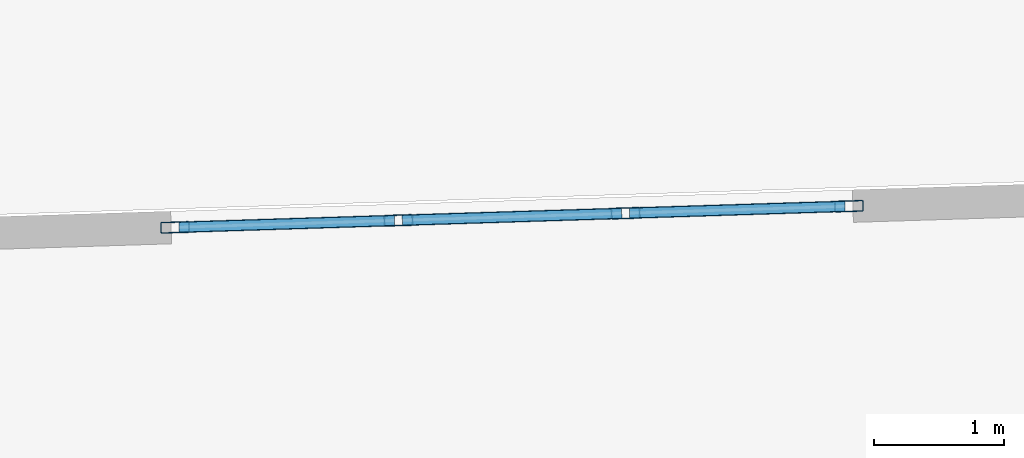
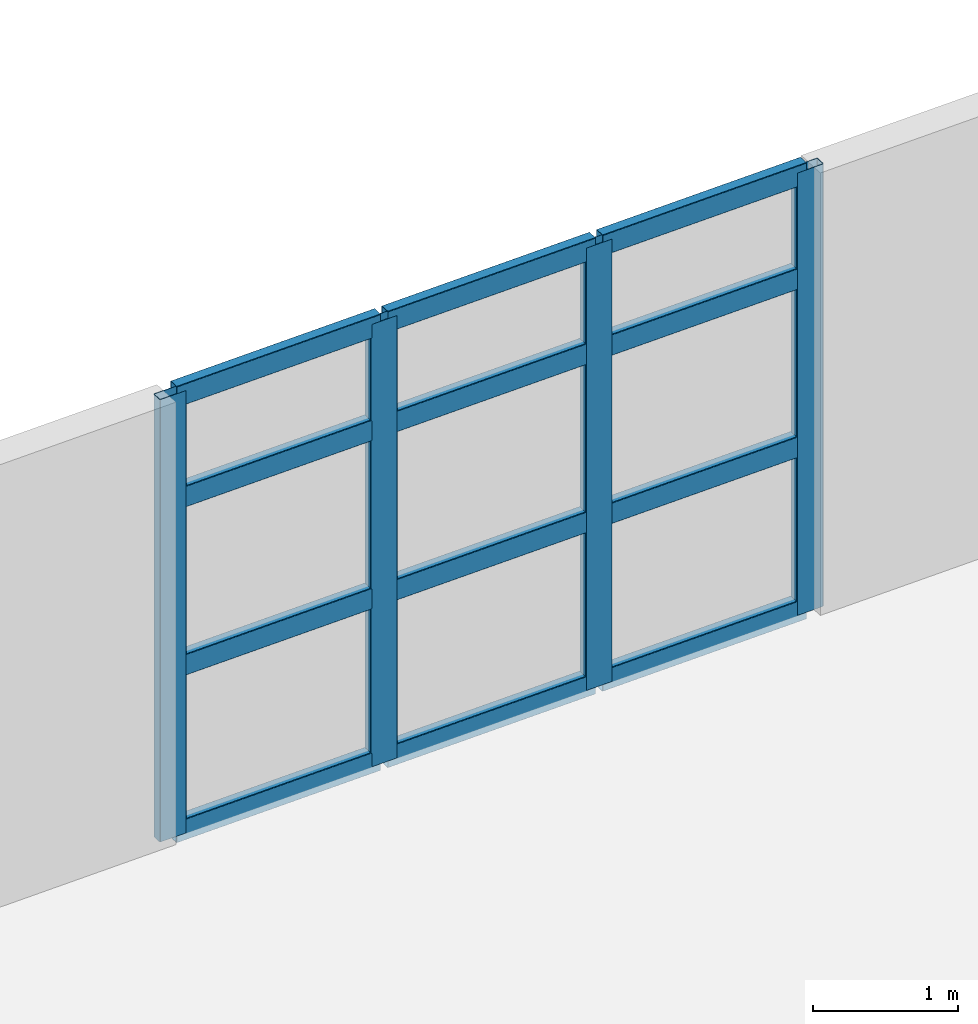
# One storey, part 8 of 18: 16 members, 1 element without a shape of its own.
"""IFC4 building model written with IfcOpenShell, lengths in metres."""

import ifcopenshell
import ifcopenshell.guid

model = None  # the IFC model being written
_history = None  # IfcOwnerHistory: only IFC2X3 demands one
_inside = {}  # id of a spatial element -> (the spatial element, [elements in it])
_under = {}  # id of a project, library or spatial element -> (it, [spatial elements below it])
_declared = {}  # id of a project -> (the project, [libraries it declares])
_typed = {}  # id of a type object -> (the type object, [elements of that type])
_made_of = {}  # id of a material, layer set ... -> (it, [elements and type objects made of it])


def new_model(schema):
    """Start an empty IFC model of exactly this schema.

    Asked for "IFC4X3", IfcOpenShell would pick the latest addendum, in which some entities
    have other attributes; the version numbers below select the first issue.
    IFC2X3 requires an IfcOwnerHistory on every rooted entity: one is made here for all.
    """
    global model, _history
    if schema == "IFC4X3":
        model = ifcopenshell.file(schema_version=(4, 3, 0, 0))
    else:
        model = ifcopenshell.file(schema=schema)
    _inside.clear()
    _under.clear()
    _declared.clear()
    _typed.clear()
    _made_of.clear()
    _history = None
    if model.schema == "IFC2X3":
        org = make("IfcOrganization", Name="unknown")
        user = make(
            "IfcPersonAndOrganization",
            ThePerson=make("IfcPerson", FamilyName="unknown"),
            TheOrganization=org,
        )
        app = make(
            "IfcApplication",
            ApplicationDeveloper=org,
            Version="unknown",
            ApplicationFullName="unknown",
            ApplicationIdentifier="unknown",
        )
        _history = make(
            "IfcOwnerHistory",
            OwningUser=user,
            OwningApplication=app,
            ChangeAction="ADDED",
            CreationDate=0,
        )
    return model


def make(cls, **values):
    """One entity of the class cls with the attributes given. An attribute that is None is left unset."""
    return model.create_entity(
        cls, **{name: value for name, value in values.items() if value is not None}
    )


def rooted(cls, **values):
    """An entity with a GlobalId (a new one), such as an element, a storey or a relation."""
    return make(cls, GlobalId=ifcopenshell.guid.new(), OwnerHistory=_history, **values)


def si_unit(unit_type, name, prefix=None):
    """IfcSIUnit, for example si_unit("LENGTHUNIT", "METRE", prefix="MILLI")."""
    return make("IfcSIUnit", UnitType=unit_type, Prefix=prefix, Name=name)


def assignment(units):
    """IfcUnitAssignment: the units of a project."""
    return None if units is None else make("IfcUnitAssignment", Units=units)


def point(xyz):
    """IfcCartesianPoint."""
    return None if xyz is None else make("IfcCartesianPoint", Coordinates=xyz)


def direction(xyz):
    """IfcDirection."""
    return None if xyz is None else make("IfcDirection", DirectionRatios=xyz)


def frame(location, z_axis=None, x_axis=None):
    """IfcAxis2Placement3D, a coordinate frame: its origin and axes. An axis left out is left unset."""
    return make(
        "IfcAxis2Placement3D",
        Location=point(location),
        Axis=direction(z_axis),
        RefDirection=direction(x_axis),
    )


def frame_2d(location, x_axis=None):
    """IfcAxis2Placement2D, a coordinate frame in the plane: its origin and x axis."""
    return make(
        "IfcAxis2Placement2D", Location=point(location), RefDirection=direction(x_axis)
    )


def origin():
    """The frame at (0, 0, 0) with its axes left unset."""
    return frame((0.0, 0.0, 0.0))


def origin_2d():
    """The frame at (0, 0) in the plane with its x axis left unset."""
    return frame_2d((0.0, 0.0))


def place(relative_to, where):
    """IfcLocalPlacement: puts the frame where relative to a parent placement (None: the world)."""
    return make(
        "IfcLocalPlacement", PlacementRelTo=relative_to, RelativePlacement=where
    )


def context(
    kind, dimensions, precision=None, world=None, true_north=None, identifier=None
):
    """IfcGeometricRepresentationContext, for example the 3D "Model" context."""
    return make(
        "IfcGeometricRepresentationContext",
        ContextIdentifier=identifier,
        ContextType=kind,
        CoordinateSpaceDimension=dimensions,
        Precision=precision,
        WorldCoordinateSystem=world,
        TrueNorth=true_north,
    )


def subcontext(parent, identifier, kind, view, scale=None):
    """IfcGeometricRepresentationSubContext, for example "Body" below "Model"."""
    return make(
        "IfcGeometricRepresentationSubContext",
        ContextIdentifier=identifier,
        ContextType=kind,
        ParentContext=parent,
        TargetScale=scale,
        TargetView=view,
    )


def project(units=None, contexts=None):
    """IfcProject with its units and contexts."""
    return rooted(
        "IfcProject",
        Name="project",
        RepresentationContexts=contexts,
        UnitsInContext=assignment(units),
    )


def spatial(cls, under=None, at=None, **own):
    """A site, building, storey or space (cls), placed at a placement, below another one or the project."""
    s = rooted(cls, ObjectPlacement=at, **own)
    if under is not None:
        _under.setdefault(under.id(), (under, []))[1].append(s)
    return s


def profile(cls, at=None, kind="AREA", **sizes):
    """A parametric profile (cls). Its sizes go by their IFC names, for example OverallWidth=200.0."""
    return make(cls, ProfileType=kind, Position=at, **sizes)


def hollow_rectangle(**sizes):
    """IfcRectangleHollowProfileDef."""
    return profile("IfcRectangleHollowProfileDef", **sizes)


def extrude(swept, where, along, depth):
    """IfcExtrudedAreaSolid: the profile swept, set in the frame where, extruded along a direction by depth."""
    return make(
        "IfcExtrudedAreaSolid",
        SweptArea=swept,
        Position=where,
        ExtrudedDirection=direction(along),
        Depth=depth,
    )


def shape(context_of_items, identifier, shape_type, items):
    """IfcShapeRepresentation: the items that make up one representation, for example the "Body"."""
    return make(
        "IfcShapeRepresentation",
        ContextOfItems=context_of_items,
        RepresentationIdentifier=identifier,
        RepresentationType=shape_type,
        Items=items,
    )


def material(Name=None, Category=None):
    """IfcMaterial."""
    return make("IfcMaterial", Name=Name, Category=Category)


def layer(
    of_material, thickness, ventilated=None, Name=None, Category=None, Priority=None
):
    """IfcMaterialLayer: one layer of a wall or slab, of a material (None: an air gap)."""
    return make(
        "IfcMaterialLayer",
        Material=of_material,
        LayerThickness=thickness,
        IsVentilated=ventilated,
        Name=Name,
        Category=Category,
        Priority=Priority,
    )


def layer_set(layers, Name=None):
    """IfcMaterialLayerSet."""
    return make("IfcMaterialLayerSet", MaterialLayers=layers, LayerSetName=Name)


def material_profile(
    of_material, cross_section, Name=None, Category=None, Priority=None
):
    """IfcMaterialProfile: a cross section and its material."""
    return make(
        "IfcMaterialProfile",
        Name=Name,
        Material=of_material,
        Profile=cross_section,
        Priority=Priority,
        Category=Category,
    )


def profile_set(profiles, Name=None, composite=None):
    """IfcMaterialProfileSet."""
    return make(
        "IfcMaterialProfileSet",
        Name=Name,
        MaterialProfiles=profiles,
        CompositeProfile=composite,
    )


def made_of(thing, what):
    """Note that an element or type object is made of a material, layer set ...; save() writes the relation."""
    if what is not None:
        _made_of.setdefault(what.id(), (what, []))[1].append(thing)
    return thing


def type_object(cls, material=None, **own):
    """A type object (cls), such as IfcWallType, which elements share."""
    return made_of(rooted(cls, **own), material)


def element(
    cls,
    number,
    at=None,
    inside=None,
    cuts=None,
    type_object=None,
    material=None,
    context=None,
    identifier="Body",
    shape_type=None,
    held_by="IfcProductDefinitionShape",
    body=None,
    shapes=None,
    **own,
):
    """One element of the class cls, such as IfcWall. Its Tag is "e" and its number.

    at: its placement. inside: the storey or other place that contains it. cuts: it is an
    opening in that element (IfcRelVoidsElement). A single representation is given by context,
    identifier, shape_type and body (its items); several are given by shapes. held_by: the class
    of the entity that holds the representations. save() writes the other relations.
    """
    e = rooted(cls, Tag="e%d" % number, ObjectPlacement=at, **own)
    if body is not None:
        shapes = [shape(context, identifier, shape_type, body)]
    if shapes is not None:
        e.Representation = make(held_by, Representations=shapes)
    if inside is not None:
        _inside.setdefault(inside.id(), (inside, []))[1].append(e)
    if cuts is not None:
        rooted(
            "IfcRelVoidsElement", RelatingBuildingElement=cuts, RelatedOpeningElement=e
        )
    if type_object is not None:
        _typed.setdefault(type_object.id(), (type_object, []))[1].append(e)
    return made_of(e, material)


def aggregate(whole, parts):
    """IfcRelAggregates: a whole, such as a stair, and the parts it consists of."""
    return rooted("IfcRelAggregates", RelatingObject=whole, RelatedObjects=parts)


def save(model, path):
    """Write the relations noted so far, then the file.

    IfcRelAggregates (storeys below a building ...), IfcRelContainedInSpatialStructure (elements
    in a storey), IfcRelDefinesByType, IfcRelAssociatesMaterial and IfcRelDeclares: one each for
    every whole, place, type object, material and project.
    """
    for whole, parts in _under.values():
        aggregate(whole, parts)
    for where, things in _inside.values():
        rooted(
            "IfcRelContainedInSpatialStructure",
            RelatedElements=things,
            RelatingStructure=where,
        )
    for kind, things in _typed.values():
        rooted("IfcRelDefinesByType", RelatedObjects=things, RelatingType=kind)
    for what, things in _made_of.values():
        rooted("IfcRelAssociatesMaterial", RelatedObjects=things, RelatingMaterial=what)
    for by, libraries in _declared.values():
        rooted("IfcRelDeclares", RelatingContext=by, RelatedDefinitions=libraries)
    model.write(path)


model = new_model("IFC4")

# Units and contexts
model_context = context("Model", 3, precision=1e-05, world=origin(), true_north=direction((0.0, 1.0)))
body_context = subcontext(model_context, "Body", "Model", "MODEL_VIEW")
ifc_project = project(units=[si_unit("LENGTHUNIT", "METRE"), si_unit("AREAUNIT", "SQUARE_METRE"), si_unit("VOLUMEUNIT", "CUBIC_METRE"), si_unit("PLANEANGLEUNIT", "RADIAN"), si_unit("MASSUNIT", "GRAM", prefix="KILO")], contexts=[model_context])

# Site, building, storey
site_placement = place(None, origin())
site = spatial("IfcSite", under=ifc_project, at=site_placement, CompositionType="ELEMENT")
building_placement = place(site_placement, origin())
building = spatial("IfcBuilding", under=site, at=building_placement, Name="Qingluan Cross Belvedere", CompositionType="ELEMENT")
storey_placement = place(building_placement, frame((0.0, 0.0, 299.39990234375)))
storey = spatial("IfcBuildingStorey", under=building, at=storey_placement, Name="L74", CompositionType="ELEMENT", Elevation=299.39990234375)

# Curtain wall, members
ifc_material_1 = material(Name="Thermally broken aluminium and Low-E glass", Category="aluminium")
ifc_layer = layer(ifc_material_1, 0.179931640625, Name="ObservationCW_DamperGallery")
ifc_layer_set = layer_set([ifc_layer], Name="Thermally broken aluminium and Low-E glass")
curtain_wall_type = type_object("IfcCurtainWallType", Name="ObservationCW_DamperGallery", PredefinedType="USERDEFINED", material=ifc_layer_set)
curtain_wall_placement = place(storey_placement, origin())
curtain_wall = element("IfcCurtainWall", 1, at=curtain_wall_placement, inside=storey, type_object=curtain_wall_type, Name="ObservationCW_DamperGallery run env:cw:L74:N", ObjectType="OBSERVATION GLAZING WALL", PredefinedType="USERDEFINED")
ifc_material_2 = material(Name="Aluminium alloy 6063-T6", Category="aluminium")
ifc_material_profile_1 = material_profile(ifc_material_2, hollow_rectangle(XDim=0.0849609375, YDim=0.219970703125, WallThickness=0.0048828125, InnerFilletRadius=0.0048828125, OuterFilletRadius=0.010009765625, at=origin_2d()), Name="CWM220x85x5")
ifc_profile_set_1 = profile_set([ifc_material_profile_1], Name="Aluminium alloy 6063-T6")
member_type_1 = type_object("IfcMemberType", Name="CWMullion_220", PredefinedType="MULLION", material=ifc_profile_set_1)
member_1_placement = place(storey_placement, frame((1.783203125, 25.648681640625, 0.0), z_axis=(0.0, 0.0, 1.0), x_axis=(0.031398124312, -0.999506957349, 0.0)))
member_1 = element("IfcMember", 2, at=member_1_placement, type_object=member_type_1, Name="CW-C1 mullion 1", PredefinedType="MULLION", context=body_context, shape_type="SweptSolid", body=[
    extrude(hollow_rectangle(XDim=0.0849609375, YDim=0.219970703125, WallThickness=0.0048828125, InnerFilletRadius=0.0048828125, OuterFilletRadius=0.010009765625, at=origin_2d()), origin(), (0.0, 0.0, 1.0), 3.72998046875),
])
member_2_placement = place(storey_placement, frame((0.06884765625, 25.5947265625, 0.0), z_axis=(0.0, 0.0, 1.0), x_axis=(0.031398124312, -0.999506957349, 0.0)))
member_2 = element("IfcMember", 3, at=member_2_placement, type_object=member_type_1, Name="CW-C1 mullion 2", PredefinedType="MULLION", context=body_context, shape_type="SweptSolid", body=[
    extrude(hollow_rectangle(XDim=0.0849609375, YDim=0.219970703125, WallThickness=0.0048828125, InnerFilletRadius=0.0048828125, OuterFilletRadius=0.010009765625, at=origin_2d()), origin(), (0.0, 0.0, 1.0), 3.72998046875),
])
member_3_placement = place(storey_placement, frame((-1.67578125, 25.5400390625, 0.0), z_axis=(0.0, 0.0, 1.0), x_axis=(0.031398124312, -0.999506957349, 0.0)))
member_3 = element("IfcMember", 4, at=member_3_placement, type_object=member_type_1, Name="CW-C1 mullion 3", PredefinedType="MULLION", context=body_context, shape_type="SweptSolid", body=[
    extrude(hollow_rectangle(XDim=0.0849609375, YDim=0.219970703125, WallThickness=0.0048828125, InnerFilletRadius=0.0048828125, OuterFilletRadius=0.010009765625, at=origin_2d()), origin(), (0.0, 0.0, 1.0), 3.72998046875),
])
member_4_placement = place(storey_placement, frame((-3.39013671875, 25.486083984375, 0.0), z_axis=(0.0, 0.0, 1.0), x_axis=(0.031398124312, -0.999506957349, 0.0)))
member_4 = element("IfcMember", 5, at=member_4_placement, type_object=member_type_1, Name="CW-C1 mullion 4", PredefinedType="MULLION", context=body_context, shape_type="SweptSolid", body=[
    extrude(hollow_rectangle(XDim=0.0849609375, YDim=0.219970703125, WallThickness=0.0048828125, InnerFilletRadius=0.0048828125, OuterFilletRadius=0.010009765625, at=origin_2d()), origin(), (0.0, 0.0, 1.0), 3.72998046875),
])
ifc_material_3 = material(Name="Aluminium alloy 6063-T6", Category="aluminium")
ifc_material_profile_2 = material_profile(ifc_material_3, hollow_rectangle(XDim=0.0849609375, YDim=0.179931640625, WallThickness=0.00390625, InnerFilletRadius=0.00390625, OuterFilletRadius=0.008056640625, at=origin_2d()), Name="CWT180x85x4")
ifc_profile_set_2 = profile_set([ifc_material_profile_2], Name="Aluminium alloy 6063-T6")
member_type_2 = type_object("IfcMemberType", Name="CWTransom_180", PredefinedType="USERDEFINED", material=ifc_profile_set_2)
member_5_placement = place(storey_placement, frame((1.753173828125, 25.647705078125, 0.030029296875), z_axis=(-0.999506448328, -0.031414323963, 0.0), x_axis=(0.031414323963, -0.999506448328, 0.0)))
member_5 = element("IfcMember", 6, at=member_5_placement, type_object=member_type_2, Name="CW-C1 transom 1.1", ObjectType="TRANSOM", PredefinedType="USERDEFINED", context=body_context, shape_type="SweptSolid", body=[
    extrude(hollow_rectangle(XDim=0.0849609375, YDim=0.179931640625, WallThickness=0.00390625, InnerFilletRadius=0.00390625, OuterFilletRadius=0.008056640625, at=origin_2d()), origin(), (0.0, 0.0, 1.0), 1.6552734375),
])
member_6_placement = place(storey_placement, frame((1.753173828125, 25.647705078125, 1.4169921875), z_axis=(-0.999506448328, -0.031414323963, 0.0), x_axis=(0.031414323963, -0.999506448328, 0.0)))
member_6 = element("IfcMember", 7, at=member_6_placement, type_object=member_type_2, Name="CW-C1 transom 1.2", ObjectType="TRANSOM", PredefinedType="USERDEFINED", context=body_context, shape_type="SweptSolid", body=[
    extrude(hollow_rectangle(XDim=0.0849609375, YDim=0.179931640625, WallThickness=0.00390625, InnerFilletRadius=0.00390625, OuterFilletRadius=0.008056640625, at=origin_2d()), origin(), (0.0, 0.0, 1.0), 1.6552734375),
])
member_7_placement = place(storey_placement, frame((1.753173828125, 25.647705078125, 2.835205078125), z_axis=(-0.999506448328, -0.031414323963, 0.0), x_axis=(0.031414323963, -0.999506448328, 0.0)))
member_7 = element("IfcMember", 8, at=member_7_placement, type_object=member_type_2, Name="CW-C1 transom 1.3", ObjectType="TRANSOM", PredefinedType="USERDEFINED", context=body_context, shape_type="SweptSolid", body=[
    extrude(hollow_rectangle(XDim=0.0849609375, YDim=0.179931640625, WallThickness=0.00390625, InnerFilletRadius=0.00390625, OuterFilletRadius=0.008056640625, at=origin_2d()), origin(), (0.0, 0.0, 1.0), 1.6552734375),
])
member_8_placement = place(storey_placement, frame((1.753173828125, 25.647705078125, 3.7001953125), z_axis=(-0.999506448328, -0.031414323963, 0.0), x_axis=(0.031414323963, -0.999506448328, 0.0)))
member_8 = element("IfcMember", 9, at=member_8_placement, type_object=member_type_2, Name="CW-C1 transom 1.4", ObjectType="TRANSOM", PredefinedType="USERDEFINED", context=body_context, shape_type="SweptSolid", body=[
    extrude(hollow_rectangle(XDim=0.0849609375, YDim=0.179931640625, WallThickness=0.00390625, InnerFilletRadius=0.00390625, OuterFilletRadius=0.008056640625, at=origin_2d()), origin(), (0.0, 0.0, 1.0), 1.6552734375),
])
member_9_placement = place(storey_placement, frame((0.038818359375, 25.59375, 0.030029296875), z_axis=(-0.999510378732, -0.031289020552, 0.0), x_axis=(0.031289020552, -0.999510378732, 0.0)))
member_9 = element("IfcMember", 10, at=member_9_placement, type_object=member_type_2, Name="CW-C1 transom 2.1", ObjectType="TRANSOM", PredefinedType="USERDEFINED", context=body_context, shape_type="SweptSolid", body=[
    extrude(hollow_rectangle(XDim=0.0849609375, YDim=0.179931640625, WallThickness=0.00390625, InnerFilletRadius=0.00390625, OuterFilletRadius=0.008056640625, at=origin_2d()), origin(), (0.0, 0.0, 1.0), 1.685302734375),
])
member_10_placement = place(storey_placement, frame((0.038818359375, 25.59375, 1.4169921875), z_axis=(-0.999510378732, -0.031289020552, 0.0), x_axis=(0.031289020552, -0.999510378732, 0.0)))
member_10 = element("IfcMember", 11, at=member_10_placement, type_object=member_type_2, Name="CW-C1 transom 2.2", ObjectType="TRANSOM", PredefinedType="USERDEFINED", context=body_context, shape_type="SweptSolid", body=[
    extrude(hollow_rectangle(XDim=0.0849609375, YDim=0.179931640625, WallThickness=0.00390625, InnerFilletRadius=0.00390625, OuterFilletRadius=0.008056640625, at=origin_2d()), origin(), (0.0, 0.0, 1.0), 1.685302734375),
])
member_11_placement = place(storey_placement, frame((0.038818359375, 25.59375, 2.835205078125), z_axis=(-0.999510378732, -0.031289020552, 0.0), x_axis=(0.031289020552, -0.999510378732, 0.0)))
member_11 = element("IfcMember", 12, at=member_11_placement, type_object=member_type_2, Name="CW-C1 transom 2.3", ObjectType="TRANSOM", PredefinedType="USERDEFINED", context=body_context, shape_type="SweptSolid", body=[
    extrude(hollow_rectangle(XDim=0.0849609375, YDim=0.179931640625, WallThickness=0.00390625, InnerFilletRadius=0.00390625, OuterFilletRadius=0.008056640625, at=origin_2d()), origin(), (0.0, 0.0, 1.0), 1.685302734375),
])
member_12_placement = place(storey_placement, frame((0.038818359375, 25.59375, 3.7001953125), z_axis=(-0.999510378732, -0.031289020552, 0.0), x_axis=(0.031289020552, -0.999510378732, 0.0)))
member_12 = element("IfcMember", 13, at=member_12_placement, type_object=member_type_2, Name="CW-C1 transom 2.4", ObjectType="TRANSOM", PredefinedType="USERDEFINED", context=body_context, shape_type="SweptSolid", body=[
    extrude(hollow_rectangle(XDim=0.0849609375, YDim=0.179931640625, WallThickness=0.00390625, InnerFilletRadius=0.00390625, OuterFilletRadius=0.008056640625, at=origin_2d()), origin(), (0.0, 0.0, 1.0), 1.685302734375),
])
member_13_placement = place(storey_placement, frame((-1.705810546875, 25.5390625, 0.030029296875), z_axis=(-0.999506448328, -0.031414323963, 0.0), x_axis=(0.031414323963, -0.999506448328, 0.0)))
member_13 = element("IfcMember", 14, at=member_13_placement, type_object=member_type_2, Name="CW-C1 transom 3.1", ObjectType="TRANSOM", PredefinedType="USERDEFINED", context=body_context, shape_type="SweptSolid", body=[
    extrude(hollow_rectangle(XDim=0.0849609375, YDim=0.179931640625, WallThickness=0.00390625, InnerFilletRadius=0.00390625, OuterFilletRadius=0.008056640625, at=origin_2d()), origin(), (0.0, 0.0, 1.0), 1.6552734375),
])
member_14_placement = place(storey_placement, frame((-1.705810546875, 25.5390625, 1.4169921875), z_axis=(-0.999506448328, -0.031414323963, 0.0), x_axis=(0.031414323963, -0.999506448328, 0.0)))
member_14 = element("IfcMember", 15, at=member_14_placement, type_object=member_type_2, Name="CW-C1 transom 3.2", ObjectType="TRANSOM", PredefinedType="USERDEFINED", context=body_context, shape_type="SweptSolid", body=[
    extrude(hollow_rectangle(XDim=0.0849609375, YDim=0.179931640625, WallThickness=0.00390625, InnerFilletRadius=0.00390625, OuterFilletRadius=0.008056640625, at=origin_2d()), origin(), (0.0, 0.0, 1.0), 1.6552734375),
])
member_15_placement = place(storey_placement, frame((-1.705810546875, 25.5390625, 2.835205078125), z_axis=(-0.999506448328, -0.031414323963, 0.0), x_axis=(0.031414323963, -0.999506448328, 0.0)))
member_15 = element("IfcMember", 16, at=member_15_placement, type_object=member_type_2, Name="CW-C1 transom 3.3", ObjectType="TRANSOM", PredefinedType="USERDEFINED", context=body_context, shape_type="SweptSolid", body=[
    extrude(hollow_rectangle(XDim=0.0849609375, YDim=0.179931640625, WallThickness=0.00390625, InnerFilletRadius=0.00390625, OuterFilletRadius=0.008056640625, at=origin_2d()), origin(), (0.0, 0.0, 1.0), 1.6552734375),
])
member_16_placement = place(storey_placement, frame((-1.705810546875, 25.5390625, 3.7001953125), z_axis=(-0.999506448328, -0.031414323963, 0.0), x_axis=(0.031414323963, -0.999506448328, 0.0)))
member_16 = element("IfcMember", 17, at=member_16_placement, type_object=member_type_2, Name="CW-C1 transom 3.4", ObjectType="TRANSOM", PredefinedType="USERDEFINED", context=body_context, shape_type="SweptSolid", body=[
    extrude(hollow_rectangle(XDim=0.0849609375, YDim=0.179931640625, WallThickness=0.00390625, InnerFilletRadius=0.00390625, OuterFilletRadius=0.008056640625, at=origin_2d()), origin(), (0.0, 0.0, 1.0), 1.6552734375),
])
aggregate(curtain_wall, [member_1, member_2, member_3, member_4, member_5, member_6, member_7, member_8, member_9, member_10, member_11, member_12, member_13, member_14, member_15, member_16])

save(model, "model.ifc")
